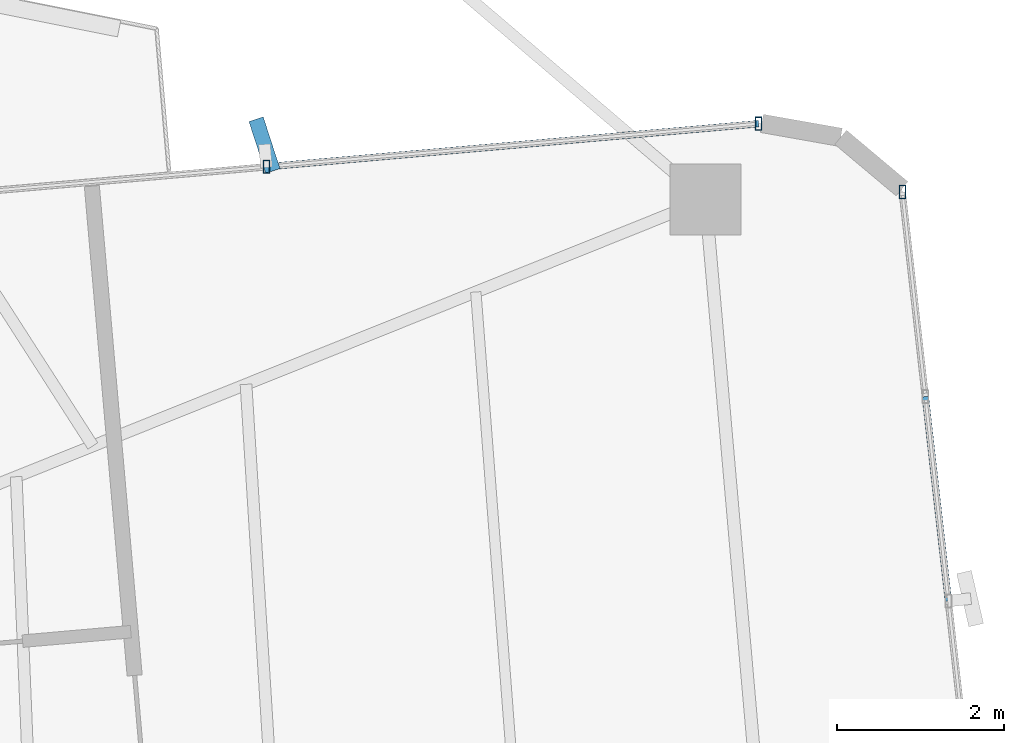
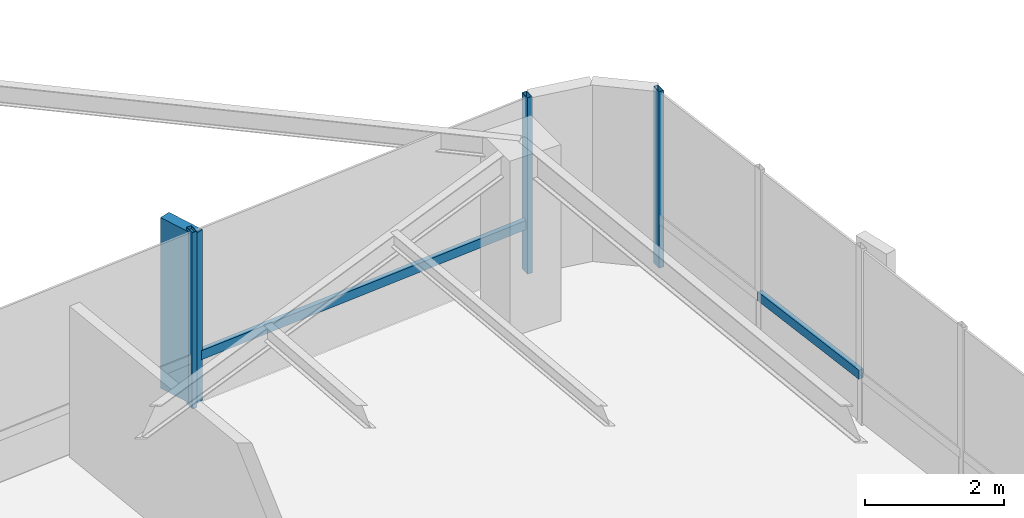
# One storey, part 15 of 24: 6 members, 2 elements without a shape of their own.
"""IFC4 building model written with IfcOpenShell, lengths in metres."""

from ifc_helpers import new_model, si_unit, direction, frame, origin, origin_2d, place, context, subcontext, project, spatial, rectangle, hollow_rectangle, extrude, source, transform, mapped, material, material_profile, profile_set, type_object, element, aggregate, save


model = new_model("IFC4")

# Units and contexts
model_context = context("Model", 3, precision=1e-05, world=origin(), true_north=direction((0.0, 1.0)))
body_context = subcontext(model_context, "Body", "Model", "MODEL_VIEW")
ifc_project = project(units=[si_unit("LENGTHUNIT", "METRE"), si_unit("AREAUNIT", "SQUARE_METRE"), si_unit("VOLUMEUNIT", "CUBIC_METRE"), si_unit("PLANEANGLEUNIT", "RADIAN"), si_unit("MASSUNIT", "GRAM", prefix="KILO")], contexts=[model_context])

# Site, building, storey
site_placement = place(None, origin())
site = spatial("IfcSite", under=ifc_project, at=site_placement, CompositionType="ELEMENT")
building_placement = place(site_placement, origin())
building = spatial("IfcBuilding", under=site, at=building_placement, Name="Sahyath Konkavel Grand Hotel", CompositionType="ELEMENT")
storey_placement = place(building_placement, frame((0.0, 0.0, 195.300048828125)))
storey = spatial("IfcBuildingStorey", under=building, at=storey_placement, Name="L54", CompositionType="ELEMENT", Elevation=195.300048828125)

# Curtain wall, member
ifc_material_1 = material(Name="Anodised Bronze Aluminium & Low-E Glazing", Category="aluminium")
curtain_wall_type = type_object("IfcCurtainWallType", Name="CW-ZONE3", PredefinedType="NOTDEFINED", material=ifc_material_1)
curtain_wall_1_placement = place(storey_placement, origin())
curtain_wall_1 = element("IfcCurtainWall", 1, at=curtain_wall_1_placement, inside=storey, type_object=curtain_wall_type, Name="L54 Unitised Curtain Wall F4", PredefinedType="NOTDEFINED")
ifc_material_2 = material(Name="Anodised Bronze Aluminium", Category="aluminium")
ifc_material_profile_1 = material_profile(ifc_material_2, hollow_rectangle(XDim=0.080078125, YDim=0.159912109375, WallThickness=0.006103515625, at=origin_2d()), Name="RHS 160x80x6")
ifc_profile_set_1 = profile_set([ifc_material_profile_1], Name="Anodised Bronze Aluminium")
member_type_1 = type_object("IfcMemberType", Name="CW-MUL-160", PredefinedType="MULLION", material=ifc_profile_set_1)
shared_shape_1 = source(origin(), body_context, "Body", "SweptSolid", [
    extrude(hollow_rectangle(XDim=0.080078125, YDim=0.159912109375, WallThickness=0.006103515625, at=origin_2d()), origin(), (0.0, 0.0, 1.0), 3.10986328125),
])
member_1_placement = place(storey_placement, frame((19.308349609375, 7.094970703125, 0.0), z_axis=(0.0, 0.0, 1.0), x_axis=(1.0, 0.0, 0.0)))
member_1 = element("IfcMember", 2, at=member_1_placement, type_object=member_type_1, Name="L54 Curtain Wall Mullion F4-4", PredefinedType="MULLION", context=body_context, shape_type="MappedRepresentation", body=[
    mapped(shared_shape_1, transform((0.0, 0.0, 0.0), scale=1.0)),
])

# Curtain wall, members
curtain_wall_2_placement = place(storey_placement, origin())
curtain_wall_2 = element("IfcCurtainWall", 3, at=curtain_wall_2_placement, inside=storey, type_object=curtain_wall_type, Name="L54 Unitised Curtain Wall F7", PredefinedType="NOTDEFINED")
member_2_placement = place(storey_placement, frame((17.58740234375, 7.912841796875, 0.0), z_axis=(0.0, 0.0, 1.0), x_axis=(1.0, 0.0, 0.0)))
member_2 = element("IfcMember", 4, at=member_2_placement, type_object=member_type_1, Name="L54 Curtain Wall Mullion F7-0", PredefinedType="MULLION", context=body_context, shape_type="MappedRepresentation", body=[
    mapped(shared_shape_1, transform((0.0, 0.0, 0.0), scale=1.0)),
])
member_3_placement = place(storey_placement, frame((11.69970703125, 7.39794921875, 0.0), z_axis=(0.0, 0.0, 1.0), x_axis=(1.0, 0.0, 0.0)))
member_3 = element("IfcMember", 5, at=member_3_placement, type_object=member_type_1, Name="L54 Curtain Wall Mullion F7-1", PredefinedType="MULLION", context=body_context, shape_type="MappedRepresentation", body=[
    mapped(shared_shape_1, transform((0.0, 0.0, 0.0), scale=1.0)),
])
ifc_material_3 = material(Name="Warm Buff Sandstone Cladding on Concrete C50/60", Category="masonry")
ifc_material_profile_2 = material_profile(ifc_material_3, rectangle(XDim=0.179931640625, YDim=0.64990234375, at=origin_2d()), Name="FIN 180x650")
ifc_profile_set_2 = profile_set([ifc_material_profile_2], Name="Warm Buff Sandstone Cladding on Concrete C50/60")
member_type_2 = type_object("IfcMemberType", Name="FIN-SANDSTONE-650", PredefinedType="MULLION", material=ifc_profile_set_2)
shared_shape_2 = source(origin(), body_context, "Body", "SweptSolid", [
    extrude(rectangle(XDim=0.179931640625, YDim=0.64990234375, at=origin_2d()), origin(), (0.0, 0.0, 1.0), 3.010009765625),
])
member_4_placement = place(storey_placement, frame((11.677001953125, 7.656982421875, 0.050048828125), z_axis=(0.0, 0.0, 1.0), x_axis=(0.951056516295, 0.309016994375, 0.0)))
member_4 = element("IfcMember", 6, at=member_4_placement, type_object=member_type_2, Name="L54 Sandstone Vertical Solar Fin FIN F7-1", PredefinedType="MULLION", context=body_context, shape_type="MappedRepresentation", body=[
    mapped(shared_shape_2, transform((0.0, 0.0, 0.0), scale=1.0)),
])

# Member
ifc_material_profile_3 = material_profile(ifc_material_2, hollow_rectangle(XDim=0.080078125, YDim=0.159912109375, WallThickness=0.006103515625, at=origin_2d()), Name="RHS 160x80x6")
ifc_profile_set_3 = profile_set([ifc_material_profile_3], Name="Anodised Bronze Aluminium")
member_type_3 = type_object("IfcMemberType", Name="CW-TRN-160", PredefinedType="USERDEFINED", material=ifc_profile_set_3)
shared_shape_3 = source(origin(), body_context, "Body", "SweptSolid", [
    extrude(hollow_rectangle(XDim=0.080078125, YDim=0.159912109375, WallThickness=0.006103515625, at=origin_2d()), origin(), (0.0, 0.0, 1.0), 2.461669921875),
])
member_5_placement = place(storey_placement, frame((19.859619140625, 2.201904296875, 0.849853515625), z_axis=(-0.111966154832, 0.993712020744, 0.0), x_axis=(-0.993712020744, -0.111966154832, 0.0)))
member_5 = element("IfcMember", 7, at=member_5_placement, type_object=member_type_3, Name="L54 Curtain Wall Transom F4-2-spandrel", ObjectType="TRANSOM", PredefinedType="USERDEFINED", context=body_context, shape_type="MappedRepresentation", body=[
    mapped(shared_shape_3, transform((0.0, 0.0, 0.0), scale=1.0)),
])

aggregate(curtain_wall_1, [member_1, member_5])

shared_shape_4 = source(origin(), body_context, "Body", "SweptSolid", [
    extrude(hollow_rectangle(XDim=0.080078125, YDim=0.159912109375, WallThickness=0.006103515625, at=origin_2d()), origin(), (0.0, 0.0, 1.0), 5.91015625),
])
member_6_placement = place(storey_placement, frame((17.58740234375, 7.912841796875, 0.849853515625), z_axis=(-0.996197841474, -0.087119806256, 0.0), x_axis=(0.087119806256, -0.996197841474, 0.0)))
member_6 = element("IfcMember", 8, at=member_6_placement, type_object=member_type_3, Name="L54 Curtain Wall Transom F7-0-spandrel", ObjectType="TRANSOM", PredefinedType="USERDEFINED", context=body_context, shape_type="MappedRepresentation", body=[
    mapped(shared_shape_4, transform((0.0, 0.0, 0.0), scale=1.0)),
])

aggregate(curtain_wall_2, [member_2, member_3, member_4, member_6])

save(model, "model.ifc")
